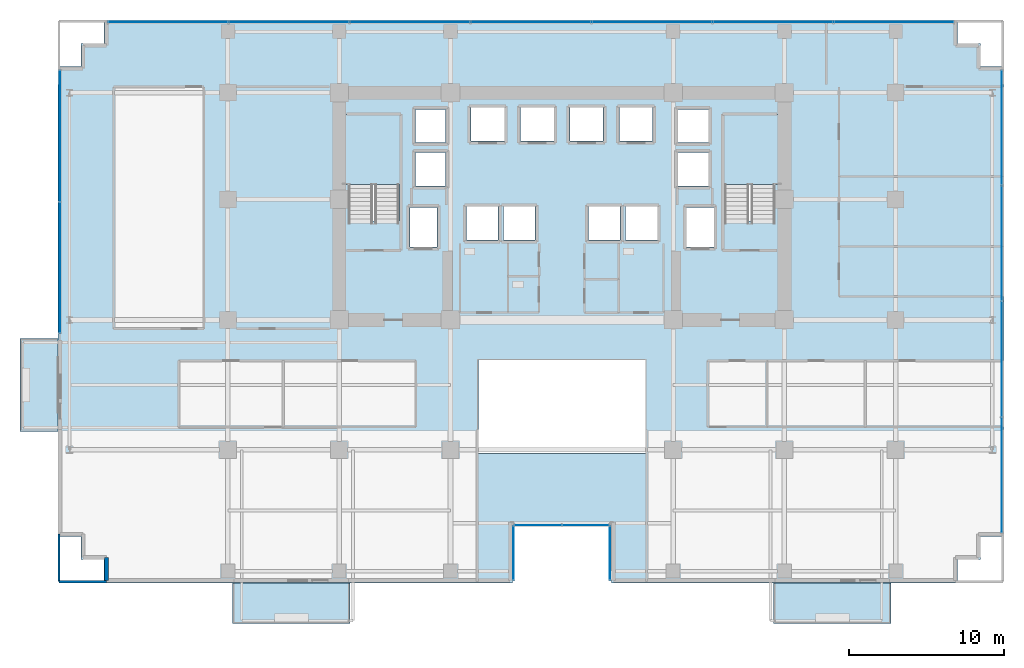
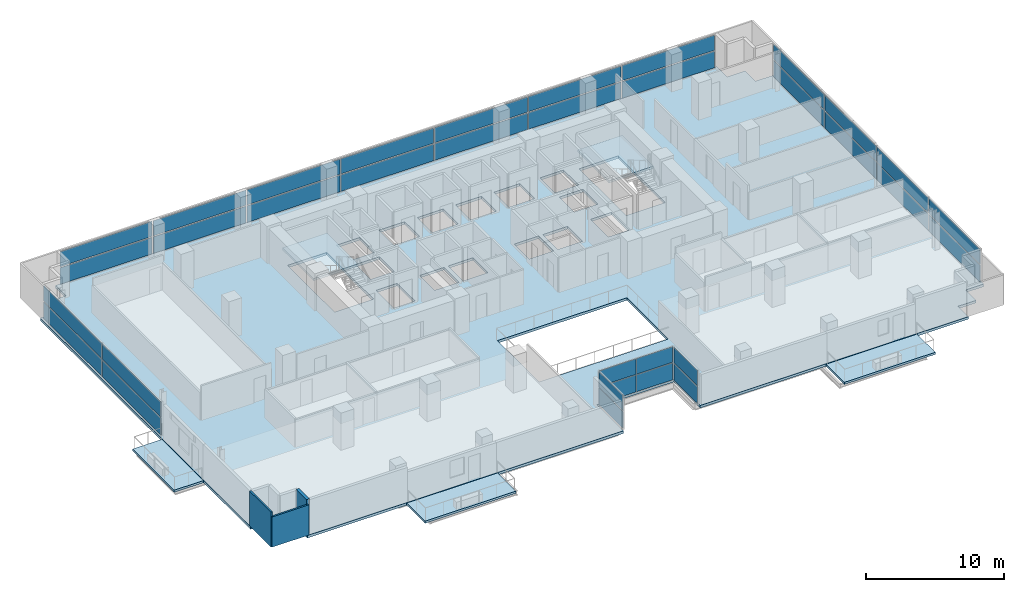
# One storey, part 22 of 31: 34 plates, 6 slabs, 3 walls, 8 elements without a shape of their own.
"""IFC4 building model written with IfcOpenShell, lengths in metres."""

from ifc_helpers import new_model, si_unit, direction, frame, frame_2d, origin, origin_2d, place, context, subcontext, project, spatial, polyline, rectangle, outline, extrude, source, transform, mapped, material, layer, layer_set, type_object, element, aggregate, save


model = new_model("IFC4")

# Units and contexts
model_context = context("Model", 3, precision=1e-05, world=origin(), true_north=direction((0.0, 1.0)))
body_context = subcontext(model_context, "Body", "Model", "MODEL_VIEW")
ifc_project = project(units=[si_unit("LENGTHUNIT", "METRE"), si_unit("AREAUNIT", "SQUARE_METRE"), si_unit("VOLUMEUNIT", "CUBIC_METRE"), si_unit("PLANEANGLEUNIT", "RADIAN"), si_unit("MASSUNIT", "GRAM", prefix="KILO")], contexts=[model_context])

# Site, building, storey
site_placement = place(None, origin())
site = spatial("IfcSite", under=ifc_project, at=site_placement, CompositionType="ELEMENT")
building_placement = place(site_placement, origin())
building = spatial("IfcBuilding", under=site, at=building_placement, Name="Zarnakvel Exchange Tower", CompositionType="ELEMENT")
storey_placement = place(building_placement, frame((0.0, 0.0, 47.199951171875)))
storey = spatial("IfcBuildingStorey", under=building, at=storey_placement, Name="L12", CompositionType="ELEMENT", Elevation=47.199951171875)

# Stair, slab
ifc_material_1 = material(Name="Concrete C40/50", Category="concrete")
stair_type = type_object("IfcStairType", Name="STR-01", PredefinedType="HALF_TURN_STAIR", material=ifc_material_1)
stair_1_placement = place(storey_placement, origin())
stair_1 = element("IfcStair", 1, at=stair_1_placement, inside=storey, type_object=stair_type, Name="L12 Protected Core Exit Stair ST-01", PredefinedType="HALF_TURN_STAIR")
ifc_layer_1 = layer(ifc_material_1, 0.199951171875)
ifc_layer_set_1 = layer_set([ifc_layer_1], Name="Concrete C40/50")
slab_type_1 = type_object("IfcSlabType", Name="LDG-01", PredefinedType="LANDING", material=ifc_layer_set_1)
slab_1_placement = place(storey_placement, frame((0.0, 0.0, 1.449951171875)))
slab_1 = element("IfcSlab", 2, at=slab_1_placement, type_object=slab_type_1, Name="ST-01 landing 1", PredefinedType="LANDING", context=body_context, shape_type="SweptSolid", body=[
    extrude(outline(polyline([(-14.18994140625, 7.570068359375), (-10.4599609375, 7.570068359375), (-10.4599609375, 12.080078125), (-14.18994140625, 12.080078125), (-14.18994140625, 7.570068359375)])), origin(), (0.0, 0.0, 1.0), 0.2001953125),
])
aggregate(stair_1, [slab_1])

stair_2_placement = place(storey_placement, origin())
stair_2 = element("IfcStair", 3, at=stair_2_placement, inside=storey, type_object=stair_type, Name="L12 Protected Core Exit Stair ST-02", PredefinedType="HALF_TURN_STAIR")
slab_2_placement = place(storey_placement, frame((0.0, 0.0, 1.449951171875)))
slab_2 = element("IfcSlab", 4, at=slab_2_placement, type_object=slab_type_1, Name="ST-02 landing 1", PredefinedType="LANDING", context=body_context, shape_type="SweptSolid", body=[
    extrude(outline(polyline([(10.4599609375, 7.570068359375), (14.18994140625, 7.570068359375), (14.18994140625, 12.080078125), (10.4599609375, 12.080078125), (10.4599609375, 7.570068359375)])), origin(), (0.0, 0.0, 1.0), 0.2001953125),
])
aggregate(stair_2, [slab_2])

# Slabs
ifc_layer_2 = layer(ifc_material_1, 0.22509765625)
ifc_layer_set_2 = layer_set([ifc_layer_2], Name="Concrete C40/50")
slab_type_2 = type_object("IfcSlabType", Name="SL-04", PredefinedType="FLOOR", material=ifc_layer_set_2)
slab_3_placement = place(storey_placement, frame((0.0, 0.0, -0.224853515625)))
element("IfcSlab", 5, at=slab_3_placement, inside=storey, type_object=slab_type_2, Name="L12 Primary Structural Floor Slab", PredefinedType="FLOOR", context=body_context, shape_type="SweptSolid", body=[
    extrude(outline(polyline([(-32.60009765625, -15.199951171875), (-31.10009765625, -15.199951171875), (-31.10009765625, -16.699951171875), (-29.60009765625, -16.699951171875), (-29.60009765625, -18.199951171875), (-3.199951171875, -18.199951171875), (-3.199951171875, -14.39990234375), (3.199951171875, -14.39990234375), (3.199951171875, -18.199951171875), (25.60009765625, -18.199951171875), (25.60009765625, -16.699951171875), (27.10009765625, -16.699951171875), (27.10009765625, -15.199951171875), (28.60009765625, -15.199951171875), (28.60009765625, 15.199951171875), (27.10009765625, 15.199951171875), (27.10009765625, 16.699951171875), (25.60009765625, 16.699951171875), (25.60009765625, 18.199951171875), (-29.60009765625, 18.199951171875), (-29.60009765625, 16.699951171875), (-31.10009765625, 16.699951171875), (-31.10009765625, 15.199951171875), (-32.60009765625, 15.199951171875), (-32.60009765625, -15.199951171875)]), holes=[polyline([(-5.39990234375, -9.800048828125), (5.39990234375, -9.800048828125), (5.39990234375, -3.800048828125), (-5.39990234375, -3.800048828125), (-5.39990234375, -9.800048828125)]), polyline([(-13.800048828125, 5.2099609375), (-10.5400390625, 5.2099609375), (-10.5400390625, 12.0), (-13.800048828125, 12.0), (-13.800048828125, 5.2099609375)]), polyline([(10.5400390625, 5.2099609375), (13.800048828125, 5.2099609375), (13.800048828125, 12.0), (10.5400390625, 12.0), (10.5400390625, 5.2099609375)]), polyline([(-9.830078125, 3.52001953125), (-8.070068359375, 3.52001953125), (-8.070068359375, 6.080078125), (-9.830078125, 6.080078125), (-9.830078125, 3.52001953125)]), polyline([(8.070068359375, 3.52001953125), (9.830078125, 3.52001953125), (9.830078125, 6.080078125), (8.070068359375, 6.080078125), (8.070068359375, 3.52001953125)]), polyline([(-5.8798828125, 10.3701171875), (-3.719970703125, 10.3701171875), (-3.719970703125, 12.530029296875), (-5.8798828125, 12.530029296875), (-5.8798828125, 10.3701171875)]), polyline([(-2.679931640625, 10.3701171875), (-0.52001953125, 10.3701171875), (-0.52001953125, 12.530029296875), (-2.679931640625, 12.530029296875), (-2.679931640625, 10.3701171875)]), polyline([(0.52001953125, 10.3701171875), (2.679931640625, 10.3701171875), (2.679931640625, 12.530029296875), (0.52001953125, 12.530029296875), (0.52001953125, 10.3701171875)]), polyline([(3.719970703125, 10.3701171875), (5.8798828125, 10.3701171875), (5.8798828125, 12.530029296875), (3.719970703125, 12.530029296875), (3.719970703125, 10.3701171875)]), polyline([(-6.179931640625, 3.969970703125), (-4.1201171875, 3.969970703125), (-4.1201171875, 6.1298828125), (-6.179931640625, 6.1298828125), (-6.179931640625, 3.969970703125)]), polyline([(-3.780029296875, 3.969970703125), (-1.719970703125, 3.969970703125), (-1.719970703125, 6.1298828125), (-3.780029296875, 6.1298828125), (-3.780029296875, 3.969970703125)]), polyline([(1.719970703125, 3.969970703125), (3.780029296875, 3.969970703125), (3.780029296875, 6.1298828125), (1.719970703125, 6.1298828125), (1.719970703125, 3.969970703125)]), polyline([(4.1201171875, 3.969970703125), (6.179931640625, 3.969970703125), (6.179931640625, 6.1298828125), (4.1201171875, 6.1298828125), (4.1201171875, 3.969970703125)]), polyline([(-9.47998046875, 7.469970703125), (-7.52001953125, 7.469970703125), (-7.52001953125, 9.6298828125), (-9.47998046875, 9.6298828125), (-9.47998046875, 7.469970703125)]), polyline([(-9.47998046875, 10.27001953125), (-7.52001953125, 10.27001953125), (-7.52001953125, 12.429931640625), (-9.47998046875, 12.429931640625), (-9.47998046875, 10.27001953125)]), polyline([(7.52001953125, 7.469970703125), (9.47998046875, 7.469970703125), (9.47998046875, 9.6298828125), (7.52001953125, 9.6298828125), (7.52001953125, 7.469970703125)]), polyline([(7.52001953125, 10.27001953125), (9.47998046875, 10.27001953125), (9.47998046875, 12.429931640625), (7.52001953125, 12.429931640625), (7.52001953125, 10.27001953125)])]), origin(), (0.0, 0.0, 1.0), 0.224853515625),
])
ifc_layer_3 = layer(ifc_material_1, 0.18994140625)
ifc_layer_set_3 = layer_set([ifc_layer_3], Name="Concrete C40/50")
slab_type_3 = type_object("IfcSlabType", Name="SL-08", PredefinedType="USERDEFINED", material=ifc_layer_set_3)
slab_4_placement = place(storey_placement, frame((0.0, 0.0, -0.224853515625)))
element("IfcSlab", 6, at=slab_4_placement, inside=storey, type_object=slab_type_3, Name="L12 Planted Loggia Balcony Slab BAL-L12-SW", ObjectType="BALCONY", PredefinedType="USERDEFINED", context=body_context, shape_type="SweptSolid", body=[
    extrude(outline(polyline([(-21.300048828125, -20.85009765625), (-13.699951171875, -20.85009765625), (-13.699951171875, -18.199951171875), (-21.300048828125, -18.199951171875), (-21.300048828125, -20.85009765625)])), origin(), (0.0, 0.0, 1.0), 0.18994140625),
])
slab_5_placement = place(storey_placement, frame((0.0, 0.0, -0.224853515625)))
element("IfcSlab", 7, at=slab_5_placement, inside=storey, type_object=slab_type_3, Name="L12 Planted Loggia Balcony Slab BAL-L12-SE", ObjectType="BALCONY", PredefinedType="USERDEFINED", context=body_context, shape_type="SweptSolid", body=[
    extrude(outline(polyline([(13.699951171875, -20.85009765625), (21.300048828125, -20.85009765625), (21.300048828125, -18.199951171875), (13.699951171875, -18.199951171875), (13.699951171875, -20.85009765625)])), origin(), (0.0, 0.0, 1.0), 0.18994140625),
])
slab_6_placement = place(storey_placement, frame((0.0, 0.0, -0.224853515625)))
element("IfcSlab", 8, at=slab_6_placement, inside=storey, type_object=slab_type_3, Name="L12 Planted Loggia Balcony Slab BAL-L12-W", ObjectType="BALCONY", PredefinedType="USERDEFINED", context=body_context, shape_type="SweptSolid", body=[
    extrude(outline(polyline([(-35.050048828125, -8.39990234375), (-32.60009765625, -8.39990234375), (-32.60009765625, -2.39990234375), (-35.050048828125, -2.39990234375), (-35.050048828125, -8.39990234375)])), origin(), (0.0, 0.0, 1.0), 0.18994140625),
])

# Curtain wall, plate
ifc_material_2 = material(Name="Architectural Bronze Anodised Aluminium", Category="aluminium")
ifc_layer_4 = layer(ifc_material_2, 0.179931640625)
ifc_layer_set_4 = layer_set([ifc_layer_4], Name="Architectural Bronze Anodised Aluminium")
curtain_wall_type_1 = type_object("IfcCurtainWallType", Name="CW-05", PredefinedType="NOTDEFINED", material=ifc_layer_set_4)
curtain_wall_1_placement = place(storey_placement, origin())
curtain_wall_1 = element("IfcCurtainWall", 9, at=curtain_wall_1_placement, inside=storey, type_object=curtain_wall_type_1, Name="L12 Curtain Wall CW-L12-SLW (CW-05)", PredefinedType="NOTDEFINED")
ifc_material_3 = material(Name="Double Low-E Laminated Vision Glass", Category="glass")
ifc_layer_5 = layer(ifc_material_3, 0.02587890625)
ifc_layer_set_5 = layer_set([ifc_layer_5], Name="Double Low-E Laminated Vision Glass")
plate_type_1 = type_object("IfcPlateType", Name="CWP-05", PredefinedType="CURTAIN_PANEL", material=ifc_layer_set_5)
shared_shape_1 = source(origin(), body_context, "Body", "SweptSolid", [
    extrude(rectangle(XDim=3.4599609375, YDim=0.02587890625, at=origin_2d()), origin(), (0.0, 0.0, 1.0), 1.483642578125),
])
plate_1_placement = place(storey_placement, frame((-3.1201171875, -16.280029296875, 0.06982421875), z_axis=(0.0, 0.0, 1.0), x_axis=(0.0, 1.0, 0.0)))
plate_1 = element("IfcPlate", 10, at=plate_1_placement, type_object=plate_type_1, Name="CW-05 panel 1.1", PredefinedType="CURTAIN_PANEL", context=body_context, shape_type="MappedRepresentation", body=[
    mapped(shared_shape_1, transform((0.0, 0.0, 0.0), x_axis=(1.0, 0.0, 0.0), y_axis=(0.0, 1.0, 0.0), z_axis=(0.0, 0.0, 1.0), scale=1.0)),
])

curtain_wall_2_placement = place(storey_placement, origin())
curtain_wall_2 = element("IfcCurtainWall", 11, at=curtain_wall_2_placement, inside=storey, type_object=curtain_wall_type_1, Name="L12 Curtain Wall CW-L12-SLE (CW-05)", PredefinedType="NOTDEFINED")
plate_2_placement = place(storey_placement, frame((3.1201171875, -16.280029296875, 0.06982421875), z_axis=(0.0, 0.0, 1.0), x_axis=(0.0, -1.0, 0.0)))
plate_2 = element("IfcPlate", 12, at=plate_2_placement, type_object=plate_type_1, Name="CW-05 panel 1.1", PredefinedType="CURTAIN_PANEL", context=body_context, shape_type="MappedRepresentation", body=[
    mapped(shared_shape_1, transform((0.0, 0.0, 0.0), x_axis=(1.0, 0.0, 0.0), y_axis=(0.0, 1.0, 0.0), z_axis=(0.0, 0.0, 1.0), scale=1.0)),
])

# Plate
shared_shape_2 = source(origin(), body_context, "Body", "SweptSolid", [
    extrude(rectangle(XDim=3.4599609375, YDim=0.02587890625, at=origin_2d()), origin(), (0.0, 0.0, 1.0), 1.361328125),
])
plate_3_placement = place(storey_placement, frame((-3.1201171875, -16.280029296875, 1.623779296875), z_axis=(0.0, 0.0, 1.0), x_axis=(0.0, 1.0, 0.0)))
plate_3 = element("IfcPlate", 13, at=plate_3_placement, type_object=plate_type_1, Name="CW-05 panel 1.2", PredefinedType="CURTAIN_PANEL", context=body_context, shape_type="MappedRepresentation", body=[
    mapped(shared_shape_2, transform((0.0, 0.0, 0.0), x_axis=(1.0, 0.0, 0.0), y_axis=(0.0, 1.0, 0.0), z_axis=(0.0, 0.0, 1.0), scale=1.0)),
])

aggregate(curtain_wall_1, [plate_1, plate_3])

plate_4_placement = place(storey_placement, frame((3.1201171875, -16.280029296875, 1.623779296875), z_axis=(0.0, 0.0, 1.0), x_axis=(0.0, -1.0, 0.0)))
plate_4 = element("IfcPlate", 14, at=plate_4_placement, type_object=plate_type_1, Name="CW-05 panel 1.2", PredefinedType="CURTAIN_PANEL", context=body_context, shape_type="MappedRepresentation", body=[
    mapped(shared_shape_2, transform((0.0, 0.0, 0.0), x_axis=(1.0, 0.0, 0.0), y_axis=(0.0, 1.0, 0.0), z_axis=(0.0, 0.0, 1.0), scale=1.0)),
])

aggregate(curtain_wall_2, [plate_2, plate_4])

# Curtain wall, plates
curtain_wall_3_placement = place(storey_placement, origin())
curtain_wall_3 = element("IfcCurtainWall", 15, at=curtain_wall_3_placement, inside=storey, type_object=curtain_wall_type_1, Name="L12 Curtain Wall CW-L12-SLB (CW-05)", PredefinedType="NOTDEFINED")
shared_shape_3 = source(origin(), body_context, "Body", "SweptSolid", [
    extrude(rectangle(XDim=3.014892578125, YDim=0.02587890625, at=origin_2d()), origin(), (0.0, 0.0, 1.0), 1.483642578125),
])
plate_5_placement = place(storey_placement, frame((-1.54248046875, -14.47998046875, 0.06982421875), z_axis=(0.0, 0.0, 1.0), x_axis=(1.0, 0.0, 0.0)))
plate_5 = element("IfcPlate", 16, at=plate_5_placement, type_object=plate_type_1, Name="CW-05 panel 1.1", PredefinedType="CURTAIN_PANEL", context=body_context, shape_type="MappedRepresentation", body=[
    mapped(shared_shape_3, transform((0.0, 0.0, 0.0), x_axis=(1.0, 0.0, 0.0), y_axis=(0.0, 1.0, 0.0), z_axis=(0.0, 0.0, 1.0), scale=1.0)),
])
plate_6_placement = place(storey_placement, frame((1.54248046875, -14.47998046875, 0.06982421875), z_axis=(0.0, 0.0, 1.0), x_axis=(1.0, 0.0, 0.0)))
plate_6 = element("IfcPlate", 17, at=plate_6_placement, type_object=plate_type_1, Name="CW-05 panel 2.1", PredefinedType="CURTAIN_PANEL", context=body_context, shape_type="MappedRepresentation", body=[
    mapped(shared_shape_3, transform((0.0, 0.0, 0.0), x_axis=(1.0, 0.0, 0.0), y_axis=(0.0, 1.0, 0.0), z_axis=(0.0, 0.0, 1.0), scale=1.0)),
])
shared_shape_4 = source(origin(), body_context, "Body", "SweptSolid", [
    extrude(rectangle(XDim=3.014892578125, YDim=0.02587890625, at=origin_2d()), origin(), (0.0, 0.0, 1.0), 1.361328125),
])
plate_7_placement = place(storey_placement, frame((-1.54248046875, -14.47998046875, 1.623779296875), z_axis=(0.0, 0.0, 1.0), x_axis=(1.0, 0.0, 0.0)))
plate_7 = element("IfcPlate", 18, at=plate_7_placement, type_object=plate_type_1, Name="CW-05 panel 1.2", PredefinedType="CURTAIN_PANEL", context=body_context, shape_type="MappedRepresentation", body=[
    mapped(shared_shape_4, transform((0.0, 0.0, 0.0), x_axis=(1.0, 0.0, 0.0), y_axis=(0.0, 1.0, 0.0), z_axis=(0.0, 0.0, 1.0), scale=1.0)),
])
plate_8_placement = place(storey_placement, frame((1.54248046875, -14.47998046875, 1.623779296875), z_axis=(0.0, 0.0, 1.0), x_axis=(1.0, 0.0, 0.0)))
plate_8 = element("IfcPlate", 19, at=plate_8_placement, type_object=plate_type_1, Name="CW-05 panel 2.2", PredefinedType="CURTAIN_PANEL", context=body_context, shape_type="MappedRepresentation", body=[
    mapped(shared_shape_4, transform((0.0, 0.0, 0.0), x_axis=(1.0, 0.0, 0.0), y_axis=(0.0, 1.0, 0.0), z_axis=(0.0, 0.0, 1.0), scale=1.0)),
])
aggregate(curtain_wall_3, [plate_5, plate_7, plate_6, plate_8])

ifc_layer_6 = layer(ifc_material_2, 0.239990234375)
ifc_layer_set_6 = layer_set([ifc_layer_6], Name="Architectural Bronze Anodised Aluminium")
curtain_wall_type_2 = type_object("IfcCurtainWallType", Name="CW-02", PredefinedType="NOTDEFINED", material=ifc_layer_set_6)
curtain_wall_4_placement = place(storey_placement, origin())
curtain_wall_4 = element("IfcCurtainWall", 20, at=curtain_wall_4_placement, inside=storey, type_object=curtain_wall_type_2, Name="L12 Curtain Wall CW-L12-N1 (CW-02)", PredefinedType="NOTDEFINED")
ifc_layer_7 = layer(ifc_material_3, 0.031982421875)
ifc_layer_set_7 = layer_set([ifc_layer_7], Name="Double Low-E Laminated Vision Glass")
plate_type_2 = type_object("IfcPlateType", Name="CWP-02", PredefinedType="CURTAIN_PANEL", material=ifc_layer_set_7)
shared_shape_5 = source(origin(), body_context, "Body", "SweptSolid", [
    extrude(rectangle(XDim=7.693603515625, YDim=0.031982421875, at=origin_2d()), origin(), (0.0, 0.0, 1.0), 1.461181640625),
])
plate_9_placement = place(storey_placement, frame((-25.463134765625, 18.06005859375, 0.0849609375), z_axis=(0.0, 0.0, 1.0), x_axis=(1.0, 0.0, 0.0)))
plate_9 = element("IfcPlate", 21, at=plate_9_placement, type_object=plate_type_2, Name="CW-02 panel 1.1", PredefinedType="CURTAIN_PANEL", context=body_context, shape_type="MappedRepresentation", body=[
    mapped(shared_shape_5, transform((0.0, 0.0, 0.0), x_axis=(1.0, 0.0, 0.0), y_axis=(0.0, 1.0, 0.0), z_axis=(0.0, 0.0, 1.0), scale=1.0)),
])
plate_10_placement = place(storey_placement, frame((21.463134765625, 18.06005859375, 0.0849609375), z_axis=(0.0, 0.0, 1.0), x_axis=(1.0, 0.0, 0.0)))
plate_10 = element("IfcPlate", 22, at=plate_10_placement, type_object=plate_type_2, Name="CW-02 panel 7.1", PredefinedType="CURTAIN_PANEL", context=body_context, shape_type="MappedRepresentation", body=[
    mapped(shared_shape_5, transform((0.0, 0.0, 0.0), x_axis=(1.0, 0.0, 0.0), y_axis=(0.0, 1.0, 0.0), z_axis=(0.0, 0.0, 1.0), scale=1.0)),
])
shared_shape_6 = source(origin(), body_context, "Body", "SweptSolid", [
    extrude(rectangle(XDim=7.693603515625, YDim=0.031982421875, at=origin_2d()), origin(), (0.0, 0.0, 1.0), 1.3388671875),
])
plate_11_placement = place(storey_placement, frame((-25.463134765625, 18.06005859375, 1.631103515625), z_axis=(0.0, 0.0, 1.0), x_axis=(1.0, 0.0, 0.0)))
plate_11 = element("IfcPlate", 23, at=plate_11_placement, type_object=plate_type_2, Name="CW-02 panel 1.2", PredefinedType="CURTAIN_PANEL", context=body_context, shape_type="MappedRepresentation", body=[
    mapped(shared_shape_6, transform((0.0, 0.0, 0.0), x_axis=(1.0, 0.0, 0.0), y_axis=(0.0, 1.0, 0.0), z_axis=(0.0, 0.0, 1.0), scale=1.0)),
])
plate_12_placement = place(storey_placement, frame((21.463134765625, 18.06005859375, 1.631103515625), z_axis=(0.0, 0.0, 1.0), x_axis=(1.0, 0.0, 0.0)))
plate_12 = element("IfcPlate", 24, at=plate_12_placement, type_object=plate_type_2, Name="CW-02 panel 7.2", PredefinedType="CURTAIN_PANEL", context=body_context, shape_type="MappedRepresentation", body=[
    mapped(shared_shape_6, transform((0.0, 0.0, 0.0), x_axis=(1.0, 0.0, 0.0), y_axis=(0.0, 1.0, 0.0), z_axis=(0.0, 0.0, 1.0), scale=1.0)),
])
shared_shape_7 = source(origin(), body_context, "Body", "SweptSolid", [
    extrude(rectangle(XDim=7.738525390625, YDim=0.031982421875, at=origin_2d()), origin(), (0.0, 0.0, 1.0), 1.461181640625),
])
plate_13_placement = place(storey_placement, frame((-17.6572265625, 18.06005859375, 0.0849609375), z_axis=(0.0, 0.0, 1.0), x_axis=(1.0, 0.0, 0.0)))
plate_13 = element("IfcPlate", 25, at=plate_13_placement, type_object=plate_type_2, Name="CW-02 panel 2.1", PredefinedType="CURTAIN_PANEL", context=body_context, shape_type="MappedRepresentation", body=[
    mapped(shared_shape_7, transform((0.0, 0.0, 0.0), x_axis=(1.0, 0.0, 0.0), y_axis=(0.0, 1.0, 0.0), z_axis=(0.0, 0.0, 1.0), scale=1.0)),
])
plate_14_placement = place(storey_placement, frame((-9.82861328125, 18.06005859375, 0.0849609375), z_axis=(0.0, 0.0, 1.0), x_axis=(1.0, 0.0, 0.0)))
plate_14 = element("IfcPlate", 26, at=plate_14_placement, type_object=plate_type_2, Name="CW-02 panel 3.1", PredefinedType="CURTAIN_PANEL", context=body_context, shape_type="MappedRepresentation", body=[
    mapped(shared_shape_7, transform((0.0, 0.0, 0.0), x_axis=(1.0, 0.0, 0.0), y_axis=(0.0, 1.0, 0.0), z_axis=(0.0, 0.0, 1.0), scale=1.0)),
])
plate_15_placement = place(storey_placement, frame((-2.0, 18.06005859375, 0.0849609375), z_axis=(0.0, 0.0, 1.0), x_axis=(1.0, 0.0, 0.0)))
plate_15 = element("IfcPlate", 27, at=plate_15_placement, type_object=plate_type_2, Name="CW-02 panel 4.1", PredefinedType="CURTAIN_PANEL", context=body_context, shape_type="MappedRepresentation", body=[
    mapped(shared_shape_7, transform((0.0, 0.0, 0.0), x_axis=(1.0, 0.0, 0.0), y_axis=(0.0, 1.0, 0.0), z_axis=(0.0, 0.0, 1.0), scale=1.0)),
])
plate_16_placement = place(storey_placement, frame((5.82861328125, 18.06005859375, 0.0849609375), z_axis=(0.0, 0.0, 1.0), x_axis=(1.0, 0.0, 0.0)))
plate_16 = element("IfcPlate", 28, at=plate_16_placement, type_object=plate_type_2, Name="CW-02 panel 5.1", PredefinedType="CURTAIN_PANEL", context=body_context, shape_type="MappedRepresentation", body=[
    mapped(shared_shape_7, transform((0.0, 0.0, 0.0), x_axis=(1.0, 0.0, 0.0), y_axis=(0.0, 1.0, 0.0), z_axis=(0.0, 0.0, 1.0), scale=1.0)),
])
plate_17_placement = place(storey_placement, frame((13.6572265625, 18.06005859375, 0.0849609375), z_axis=(0.0, 0.0, 1.0), x_axis=(1.0, 0.0, 0.0)))
plate_17 = element("IfcPlate", 29, at=plate_17_placement, type_object=plate_type_2, Name="CW-02 panel 6.1", PredefinedType="CURTAIN_PANEL", context=body_context, shape_type="MappedRepresentation", body=[
    mapped(shared_shape_7, transform((0.0, 0.0, 0.0), x_axis=(1.0, 0.0, 0.0), y_axis=(0.0, 1.0, 0.0), z_axis=(0.0, 0.0, 1.0), scale=1.0)),
])
shared_shape_8 = source(origin(), body_context, "Body", "SweptSolid", [
    extrude(rectangle(XDim=7.738525390625, YDim=0.031982421875, at=origin_2d()), origin(), (0.0, 0.0, 1.0), 1.3388671875),
])
plate_18_placement = place(storey_placement, frame((-17.6572265625, 18.06005859375, 1.631103515625), z_axis=(0.0, 0.0, 1.0), x_axis=(1.0, 0.0, 0.0)))
plate_18 = element("IfcPlate", 30, at=plate_18_placement, type_object=plate_type_2, Name="CW-02 panel 2.2", PredefinedType="CURTAIN_PANEL", context=body_context, shape_type="MappedRepresentation", body=[
    mapped(shared_shape_8, transform((0.0, 0.0, 0.0), x_axis=(1.0, 0.0, 0.0), y_axis=(0.0, 1.0, 0.0), z_axis=(0.0, 0.0, 1.0), scale=1.0)),
])
plate_19_placement = place(storey_placement, frame((-9.82861328125, 18.06005859375, 1.631103515625), z_axis=(0.0, 0.0, 1.0), x_axis=(1.0, 0.0, 0.0)))
plate_19 = element("IfcPlate", 31, at=plate_19_placement, type_object=plate_type_2, Name="CW-02 panel 3.2", PredefinedType="CURTAIN_PANEL", context=body_context, shape_type="MappedRepresentation", body=[
    mapped(shared_shape_8, transform((0.0, 0.0, 0.0), x_axis=(1.0, 0.0, 0.0), y_axis=(0.0, 1.0, 0.0), z_axis=(0.0, 0.0, 1.0), scale=1.0)),
])
plate_20_placement = place(storey_placement, frame((-2.0, 18.06005859375, 1.631103515625), z_axis=(0.0, 0.0, 1.0), x_axis=(1.0, 0.0, 0.0)))
plate_20 = element("IfcPlate", 32, at=plate_20_placement, type_object=plate_type_2, Name="CW-02 panel 4.2", PredefinedType="CURTAIN_PANEL", context=body_context, shape_type="MappedRepresentation", body=[
    mapped(shared_shape_8, transform((0.0, 0.0, 0.0), x_axis=(1.0, 0.0, 0.0), y_axis=(0.0, 1.0, 0.0), z_axis=(0.0, 0.0, 1.0), scale=1.0)),
])
plate_21_placement = place(storey_placement, frame((5.82861328125, 18.06005859375, 1.631103515625), z_axis=(0.0, 0.0, 1.0), x_axis=(1.0, 0.0, 0.0)))
plate_21 = element("IfcPlate", 33, at=plate_21_placement, type_object=plate_type_2, Name="CW-02 panel 5.2", PredefinedType="CURTAIN_PANEL", context=body_context, shape_type="MappedRepresentation", body=[
    mapped(shared_shape_8, transform((0.0, 0.0, 0.0), x_axis=(1.0, 0.0, 0.0), y_axis=(0.0, 1.0, 0.0), z_axis=(0.0, 0.0, 1.0), scale=1.0)),
])
plate_22_placement = place(storey_placement, frame((13.6572265625, 18.06005859375, 1.631103515625), z_axis=(0.0, 0.0, 1.0), x_axis=(1.0, 0.0, 0.0)))
plate_22 = element("IfcPlate", 34, at=plate_22_placement, type_object=plate_type_2, Name="CW-02 panel 6.2", PredefinedType="CURTAIN_PANEL", context=body_context, shape_type="MappedRepresentation", body=[
    mapped(shared_shape_8, transform((0.0, 0.0, 0.0), x_axis=(1.0, 0.0, 0.0), y_axis=(0.0, 1.0, 0.0), z_axis=(0.0, 0.0, 1.0), scale=1.0)),
])
aggregate(curtain_wall_4, [plate_9, plate_11, plate_13, plate_18, plate_14, plate_19, plate_15, plate_20, plate_16, plate_21, plate_17, plate_22, plate_10, plate_12])

ifc_layer_8 = layer(ifc_material_2, 0.199951171875)
ifc_layer_set_8 = layer_set([ifc_layer_8], Name="Architectural Bronze Anodised Aluminium")
curtain_wall_type_3 = type_object("IfcCurtainWallType", Name="CW-04", PredefinedType="NOTDEFINED", material=ifc_layer_set_8)
curtain_wall_5_placement = place(storey_placement, origin())
curtain_wall_5 = element("IfcCurtainWall", 35, at=curtain_wall_5_placement, inside=storey, type_object=curtain_wall_type_3, Name="L12 Curtain Wall CW-L12-WN (CW-04)", PredefinedType="NOTDEFINED")
ifc_layer_9 = layer(ifc_material_3, 0.028076171875)
ifc_layer_set_9 = layer_set([ifc_layer_9], Name="Double Low-E Laminated Vision Glass")
plate_type_3 = type_object("IfcPlateType", Name="CWP-04", PredefinedType="CURTAIN_PANEL", material=ifc_layer_set_9)
shared_shape_9 = source(origin(), body_context, "Body", "SweptSolid", [
    extrude(rectangle(XDim=8.4375, YDim=0.028076171875, at=origin_2d()), origin(), (0.0, 0.0, 1.0), 1.47607421875),
])
plate_23_placement = place(storey_placement, frame((-32.4599609375, 2.19384765625, 0.074951171875), z_axis=(0.0, 0.0, 1.0), x_axis=(0.0, 1.0, 0.0)))
plate_23 = element("IfcPlate", 36, at=plate_23_placement, type_object=plate_type_3, Name="CW-04 panel 1.1", PredefinedType="CURTAIN_PANEL", context=body_context, shape_type="MappedRepresentation", body=[
    mapped(shared_shape_9, transform((0.0, 0.0, 0.0), x_axis=(1.0, 0.0, 0.0), y_axis=(0.0, 1.0, 0.0), z_axis=(0.0, 0.0, 1.0), scale=1.0)),
])
plate_24_placement = place(storey_placement, frame((-32.4599609375, 10.706298828125, 0.074951171875), z_axis=(0.0, 0.0, 1.0), x_axis=(0.0, 1.0, 0.0)))
plate_24 = element("IfcPlate", 37, at=plate_24_placement, type_object=plate_type_3, Name="CW-04 panel 2.1", PredefinedType="CURTAIN_PANEL", context=body_context, shape_type="MappedRepresentation", body=[
    mapped(shared_shape_9, transform((0.0, 0.0, 0.0), x_axis=(1.0, 0.0, 0.0), y_axis=(0.0, 1.0, 0.0), z_axis=(0.0, 0.0, 1.0), scale=1.0)),
])
shared_shape_10 = source(origin(), body_context, "Body", "SweptSolid", [
    extrude(rectangle(XDim=8.4375, YDim=0.028076171875, at=origin_2d()), origin(), (0.0, 0.0, 1.0), 1.35400390625),
])
plate_25_placement = place(storey_placement, frame((-32.4599609375, 2.19384765625, 1.6259765625), z_axis=(0.0, 0.0, 1.0), x_axis=(0.0, 1.0, 0.0)))
plate_25 = element("IfcPlate", 38, at=plate_25_placement, type_object=plate_type_3, Name="CW-04 panel 1.2", PredefinedType="CURTAIN_PANEL", context=body_context, shape_type="MappedRepresentation", body=[
    mapped(shared_shape_10, transform((0.0, 0.0, 0.0), x_axis=(1.0, 0.0, 0.0), y_axis=(0.0, 1.0, 0.0), z_axis=(0.0, 0.0, 1.0), scale=1.0)),
])
plate_26_placement = place(storey_placement, frame((-32.4599609375, 10.706298828125, 1.6259765625), z_axis=(0.0, 0.0, 1.0), x_axis=(0.0, 1.0, 0.0)))
plate_26 = element("IfcPlate", 39, at=plate_26_placement, type_object=plate_type_3, Name="CW-04 panel 2.2", PredefinedType="CURTAIN_PANEL", context=body_context, shape_type="MappedRepresentation", body=[
    mapped(shared_shape_10, transform((0.0, 0.0, 0.0), x_axis=(1.0, 0.0, 0.0), y_axis=(0.0, 1.0, 0.0), z_axis=(0.0, 0.0, 1.0), scale=1.0)),
])
aggregate(curtain_wall_5, [plate_23, plate_25, plate_24, plate_26])

curtain_wall_6_placement = place(storey_placement, origin())
curtain_wall_6 = element("IfcCurtainWall", 40, at=curtain_wall_6_placement, inside=storey, type_object=curtain_wall_type_3, Name="L12 Curtain Wall CW-L12-E1 (CW-04)", PredefinedType="NOTDEFINED")
shared_shape_11 = source(origin(), body_context, "Body", "SweptSolid", [
    extrude(rectangle(XDim=7.387451171875, YDim=0.028076171875, at=origin_2d()), origin(), (0.0, 0.0, 1.0), 1.47607421875),
])
plate_27_placement = place(storey_placement, frame((28.4599609375, -11.231201171875, 0.074951171875), z_axis=(0.0, 0.0, 1.0), x_axis=(0.0, 1.0, 0.0)))
plate_27 = element("IfcPlate", 41, at=plate_27_placement, type_object=plate_type_3, Name="CW-04 panel 1.1", PredefinedType="CURTAIN_PANEL", context=body_context, shape_type="MappedRepresentation", body=[
    mapped(shared_shape_11, transform((0.0, 0.0, 0.0), x_axis=(1.0, 0.0, 0.0), y_axis=(0.0, 1.0, 0.0), z_axis=(0.0, 0.0, 1.0), scale=1.0)),
])
plate_28_placement = place(storey_placement, frame((28.4599609375, 11.231201171875, 0.074951171875), z_axis=(0.0, 0.0, 1.0), x_axis=(0.0, 1.0, 0.0)))
plate_28 = element("IfcPlate", 42, at=plate_28_placement, type_object=plate_type_3, Name="CW-04 panel 4.1", PredefinedType="CURTAIN_PANEL", context=body_context, shape_type="MappedRepresentation", body=[
    mapped(shared_shape_11, transform((0.0, 0.0, 0.0), x_axis=(1.0, 0.0, 0.0), y_axis=(0.0, 1.0, 0.0), z_axis=(0.0, 0.0, 1.0), scale=1.0)),
])
shared_shape_12 = source(origin(), body_context, "Body", "SweptSolid", [
    extrude(rectangle(XDim=7.387451171875, YDim=0.028076171875, at=origin_2d()), origin(), (0.0, 0.0, 1.0), 1.35400390625),
])
plate_29_placement = place(storey_placement, frame((28.4599609375, -11.231201171875, 1.6259765625), z_axis=(0.0, 0.0, 1.0), x_axis=(0.0, 1.0, 0.0)))
plate_29 = element("IfcPlate", 43, at=plate_29_placement, type_object=plate_type_3, Name="CW-04 panel 1.2", PredefinedType="CURTAIN_PANEL", context=body_context, shape_type="MappedRepresentation", body=[
    mapped(shared_shape_12, transform((0.0, 0.0, 0.0), x_axis=(1.0, 0.0, 0.0), y_axis=(0.0, 1.0, 0.0), z_axis=(0.0, 0.0, 1.0), scale=1.0)),
])
plate_30_placement = place(storey_placement, frame((28.4599609375, 11.231201171875, 1.6259765625), z_axis=(0.0, 0.0, 1.0), x_axis=(0.0, 1.0, 0.0)))
plate_30 = element("IfcPlate", 44, at=plate_30_placement, type_object=plate_type_3, Name="CW-04 panel 4.2", PredefinedType="CURTAIN_PANEL", context=body_context, shape_type="MappedRepresentation", body=[
    mapped(shared_shape_12, transform((0.0, 0.0, 0.0), x_axis=(1.0, 0.0, 0.0), y_axis=(0.0, 1.0, 0.0), z_axis=(0.0, 0.0, 1.0), scale=1.0)),
])
shared_shape_13 = source(origin(), body_context, "Body", "SweptSolid", [
    extrude(rectangle(XDim=7.425048828125, YDim=0.028076171875, at=origin_2d()), origin(), (0.0, 0.0, 1.0), 1.47607421875),
])
plate_31_placement = place(storey_placement, frame((28.4599609375, -3.75, 0.074951171875), z_axis=(0.0, 0.0, 1.0), x_axis=(0.0, 1.0, 0.0)))
plate_31 = element("IfcPlate", 45, at=plate_31_placement, type_object=plate_type_3, Name="CW-04 panel 2.1", PredefinedType="CURTAIN_PANEL", context=body_context, shape_type="MappedRepresentation", body=[
    mapped(shared_shape_13, transform((0.0, 0.0, 0.0), x_axis=(1.0, 0.0, 0.0), y_axis=(0.0, 1.0, 0.0), z_axis=(0.0, 0.0, 1.0), scale=1.0)),
])
plate_32_placement = place(storey_placement, frame((28.4599609375, 3.75, 0.074951171875), z_axis=(0.0, 0.0, 1.0), x_axis=(0.0, 1.0, 0.0)))
plate_32 = element("IfcPlate", 46, at=plate_32_placement, type_object=plate_type_3, Name="CW-04 panel 3.1", PredefinedType="CURTAIN_PANEL", context=body_context, shape_type="MappedRepresentation", body=[
    mapped(shared_shape_13, transform((0.0, 0.0, 0.0), x_axis=(1.0, 0.0, 0.0), y_axis=(0.0, 1.0, 0.0), z_axis=(0.0, 0.0, 1.0), scale=1.0)),
])
shared_shape_14 = source(origin(), body_context, "Body", "SweptSolid", [
    extrude(rectangle(XDim=7.425048828125, YDim=0.028076171875, at=origin_2d()), origin(), (0.0, 0.0, 1.0), 1.35400390625),
])
plate_33_placement = place(storey_placement, frame((28.4599609375, -3.75, 1.6259765625), z_axis=(0.0, 0.0, 1.0), x_axis=(0.0, 1.0, 0.0)))
plate_33 = element("IfcPlate", 47, at=plate_33_placement, type_object=plate_type_3, Name="CW-04 panel 2.2", PredefinedType="CURTAIN_PANEL", context=body_context, shape_type="MappedRepresentation", body=[
    mapped(shared_shape_14, transform((0.0, 0.0, 0.0), x_axis=(1.0, 0.0, 0.0), y_axis=(0.0, 1.0, 0.0), z_axis=(0.0, 0.0, 1.0), scale=1.0)),
])
plate_34_placement = place(storey_placement, frame((28.4599609375, 3.75, 1.6259765625), z_axis=(0.0, 0.0, 1.0), x_axis=(0.0, 1.0, 0.0)))
plate_34 = element("IfcPlate", 48, at=plate_34_placement, type_object=plate_type_3, Name="CW-04 panel 3.2", PredefinedType="CURTAIN_PANEL", context=body_context, shape_type="MappedRepresentation", body=[
    mapped(shared_shape_14, transform((0.0, 0.0, 0.0), x_axis=(1.0, 0.0, 0.0), y_axis=(0.0, 1.0, 0.0), z_axis=(0.0, 0.0, 1.0), scale=1.0)),
])
aggregate(curtain_wall_6, [plate_27, plate_29, plate_31, plate_33, plate_32, plate_34, plate_28, plate_30])

# Walls
ifc_material_4 = material(Name="Precast concrete C40/50", Category="concrete")
ifc_layer_10 = layer(ifc_material_4, 0.239990234375)
ifc_layer_set_10 = layer_set([ifc_layer_10], Name="Precast concrete C40/50")
wall_type_1 = type_object("IfcWallType", Name="EW-02", PredefinedType="SOLIDWALL", material=ifc_layer_set_10)
wall_1_placement = place(storey_placement, frame((-29.4599609375, -16.56005859375, 0.0), z_axis=(0.0, 0.0, 1.0), x_axis=(0.0, -1.0, 0.0)))
element("IfcWall", 49, at=wall_1_placement, inside=storey, type_object=wall_type_1, Name="L12 Exterior Precast Spandrel Wall EWC-L12-23 (EW-02)", PredefinedType="SOLIDWALL", context=body_context, shape_type="SweptSolid", body=[
    extrude(rectangle(XDim=1.5, YDim=0.239990234375, at=frame_2d((0.75, 0.0))), origin(), (0.0, 0.0, 1.0), 3.074951171875),
])
ifc_material_5 = material(Name="Fire-Rated Gypsum Stud Partition", Category="gypsum")
ifc_layer_11 = layer(ifc_material_5, 0.14990234375)
ifc_layer_set_11 = layer_set([ifc_layer_11], Name="Fire-Rated Gypsum Stud Partition")
wall_type_2 = type_object("IfcWallType", Name="PT-01", PredefinedType="PARTITIONING", material=ifc_layer_set_11)
wall_2_placement = place(storey_placement, frame((-29.4599609375, -18.1298828125, 0.0), z_axis=(0.0, 0.0, 1.0), x_axis=(-1.0, 0.0, 0.0)))
element("IfcWall", 50, at=wall_2_placement, inside=storey, type_object=wall_type_2, Name="L12 Partition Wall PWALL-L12-033 (PT-01)", PredefinedType="PARTITIONING", context=body_context, shape_type="SweptSolid", body=[
    extrude(rectangle(XDim=3.070068359375, YDim=0.14990234375, at=frame_2d((1.53515625, 0.0))), origin(), (0.0, 0.0, 1.0), 2.6650390625),
])
wall_3_placement = place(storey_placement, frame((-32.530029296875, -18.1298828125, 0.0), z_axis=(0.0, 0.0, 1.0), x_axis=(0.0, 1.0, 0.0)))
element("IfcWall", 51, at=wall_3_placement, inside=storey, type_object=wall_type_2, Name="L12 Partition Wall PWALL-L12-034 (PT-01)", PredefinedType="PARTITIONING", context=body_context, shape_type="SweptSolid", body=[
    extrude(rectangle(XDim=3.06982421875, YDim=0.14990234375, at=frame_2d((1.534912109375, 0.0))), origin(), (0.0, 0.0, 1.0), 3.074951171875),
])

save(model, "model.ifc")
